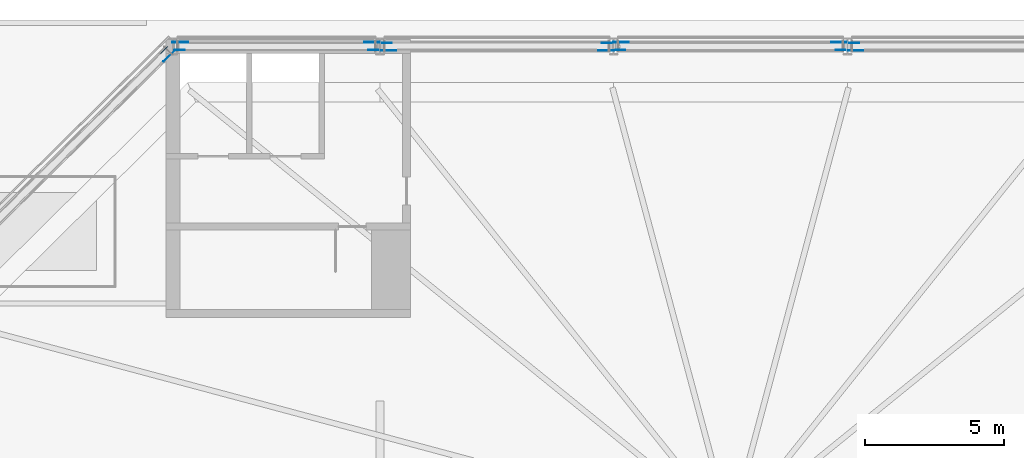
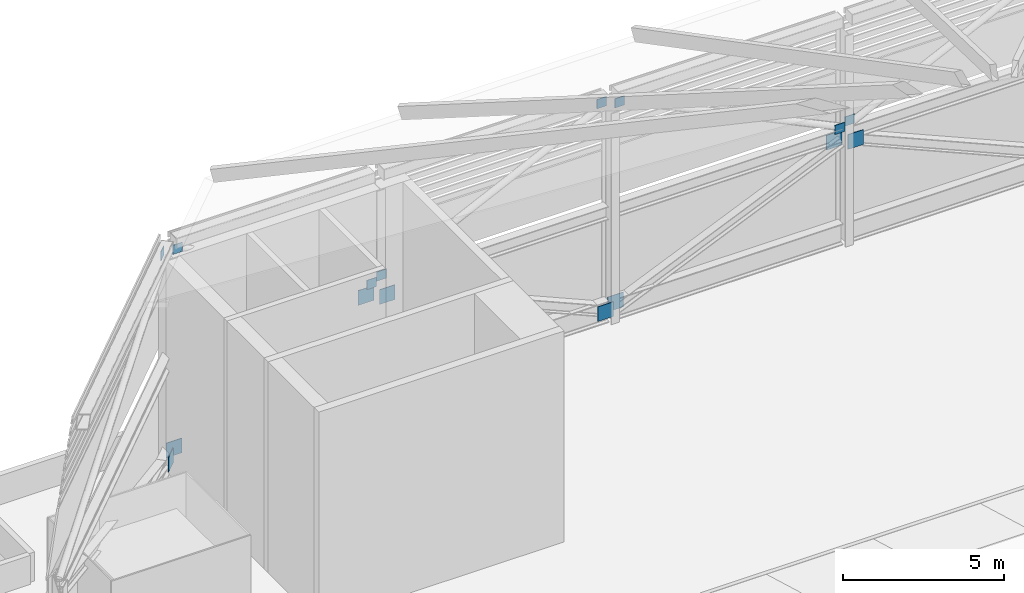
# One storey, part 19 of 22: 16 discrete accessories.
"""IFC4 building model written with IfcOpenShell, lengths in metres."""

from ifc_helpers import new_model, si_unit, direction, frame, origin, origin_2d, place, context, subcontext, project, spatial, rectangle, extrude, element, save


model = new_model("IFC4")

# Units and contexts
model_context = context("Model", 3, precision=1e-05, world=origin(), true_north=direction((0.0, 1.0)))
body_context = subcontext(model_context, "Body", "Model", "MODEL_VIEW")
ifc_project = project(units=[si_unit("LENGTHUNIT", "METRE"), si_unit("AREAUNIT", "SQUARE_METRE"), si_unit("VOLUMEUNIT", "CUBIC_METRE"), si_unit("PLANEANGLEUNIT", "RADIAN"), si_unit("MASSUNIT", "GRAM", prefix="KILO")], contexts=[model_context])

# Site, building, storey
site_placement = place(None, origin())
site = spatial("IfcSite", under=ifc_project, at=site_placement, CompositionType="ELEMENT")
building_placement = place(site_placement, origin())
building = spatial("IfcBuilding", under=site, at=building_placement, Name="Saffron Gate Tower", CompositionType="ELEMENT")
storey_placement = place(building_placement, frame((0.0, 0.0, 314.85009765625)))
storey = spatial("IfcBuildingStorey", under=building, at=storey_placement, Name="Roof crown", CompositionType="ELEMENT", Elevation=314.85009765625)

# Discrete accessories
discrete_accessory_1_placement = place(storey_placement, frame((92.098388671875, 74.5, 3.564208984375), z_axis=(0.0, 0.0, 1.0), x_axis=(-1.0, 0.0, 0.0)))
element("IfcDiscreteAccessory", 1, at=discrete_accessory_1_placement, inside=storey, Name="GUSSET PLATE", ObjectType="GUSSET PLATE", PredefinedType="USERDEFINED", context=body_context, shape_type="SweptSolid", body=[
    extrude(rectangle(XDim=0.56005859375, YDim=0.02001953125, at=origin_2d()), origin(), (0.0, 0.0, 1.0), 0.56005859375),
])
discrete_accessory_2_placement = place(storey_placement, frame((92.049072265625, 74.772216796875, 4.262451171875), z_axis=(0.0, 0.0, 1.0), x_axis=(1.0, 0.0, 0.0)))
element("IfcDiscreteAccessory", 2, at=discrete_accessory_2_placement, inside=storey, Name="GUSSET PLATE", ObjectType="GUSSET PLATE", PredefinedType="USERDEFINED", context=body_context, shape_type="SweptSolid", body=[
    extrude(rectangle(XDim=0.35009765625, YDim=0.02001953125, at=origin_2d()), origin(), (0.0, 0.0, 1.0), 0.35009765625),
])
for number, where, z_axis, x_axis, name in (
    (3, (83.66845703125, 74.800048828125, 0.175537109375), (0.0, 0.0, 1.0), (1.0, 0.0, 0.0), "GUSSET PLATE"),
    (4, (91.50146484375, 74.800048828125, 3.564208984375), (0.0, 0.0, 1.0), (1.0, 0.0, 0.0), "GUSSET PLATE"),
):
    element("IfcDiscreteAccessory", number, at=place(storey_placement, frame(where, z_axis=z_axis, x_axis=x_axis)), inside=storey, Name=name, ObjectType="GUSSET PLATE", PredefinedType="USERDEFINED", context=body_context, shape_type="SweptSolid", body=[
        extrude(rectangle(XDim=0.56005859375, YDim=0.02001953125, at=origin_2d()), origin(), (0.0, 0.0, 1.0), 0.56005859375),
    ])
for number, where, z_axis, x_axis, name in (
    (5, (91.551025390625, 74.52783203125, 4.262451171875), (0.0, 0.0, 1.0), (-1.0, 0.0, 0.0), "GUSSET PLATE"),
    (6, (83.64892578125, 74.52783203125, 8.037109375), (0.0, 0.0, 1.0), (-1.0, 0.0, 0.0), "GUSSET PLATE"),
):
    element("IfcDiscreteAccessory", number, at=place(storey_placement, frame(where, z_axis=z_axis, x_axis=x_axis)), inside=storey, Name=name, ObjectType="GUSSET PLATE", PredefinedType="USERDEFINED", context=body_context, shape_type="SweptSolid", body=[
        extrude(rectangle(XDim=0.35009765625, YDim=0.02001953125, at=origin_2d()), origin(), (0.0, 0.0, 1.0), 0.35009765625),
    ])
for number, where, z_axis, x_axis, name in (
    (7, (83.131591796875, 74.5, 0.175537109375), (0.0, 0.0, 1.0), (-1.0, 0.0, 0.0), "GUSSET PLATE"),
    (8, (75.298583984375, 74.5, 3.564208984375), (0.0, 0.0, 1.0), (-1.0, 0.0, 0.0), "GUSSET PLATE"),
):
    element("IfcDiscreteAccessory", number, at=place(storey_placement, frame(where, z_axis=z_axis, x_axis=x_axis)), inside=storey, Name=name, ObjectType="GUSSET PLATE", PredefinedType="USERDEFINED", context=body_context, shape_type="SweptSolid", body=[
        extrude(rectangle(XDim=0.56005859375, YDim=0.02001953125, at=origin_2d()), origin(), (0.0, 0.0, 1.0), 0.56005859375),
    ])
for number, where, z_axis, x_axis, name in (
    (9, (75.2490234375, 74.772216796875, 4.262451171875), (0.0, 0.0, 1.0), (1.0, 0.0, 0.0), "GUSSET PLATE"),
    (10, (83.15087890625, 74.772216796875, 8.037109375), (0.0, 0.0, 1.0), (1.0, 0.0, 0.0), "GUSSET PLATE"),
):
    element("IfcDiscreteAccessory", number, at=place(storey_placement, frame(where, z_axis=z_axis, x_axis=x_axis)), inside=storey, Name=name, ObjectType="GUSSET PLATE", PredefinedType="USERDEFINED", context=body_context, shape_type="SweptSolid", body=[
        extrude(rectangle(XDim=0.35009765625, YDim=0.02001953125, at=origin_2d()), origin(), (0.0, 0.0, 1.0), 0.35009765625),
    ])
for number, where, z_axis, x_axis, name in (
    (11, (67.815673828125, 74.800048828125, 0.181396484375), (0.0, 0.0, 1.0), (1.0, 0.0, 0.0), "GUSSET PLATE"),
    (12, (74.704345703125, 74.800048828125, 3.558349609375), (0.0, 0.0, 1.0), (1.0, 0.0, 0.0), "GUSSET PLATE"),
):
    element("IfcDiscreteAccessory", number, at=place(storey_placement, frame(where, z_axis=z_axis, x_axis=x_axis)), inside=storey, Name=name, ObjectType="GUSSET PLATE", PredefinedType="USERDEFINED", context=body_context, shape_type="SweptSolid", body=[
        extrude(rectangle(XDim=0.56005859375, YDim=0.02001953125, at=origin_2d()), origin(), (0.0, 0.0, 1.0), 0.56005859375),
    ])
for number, where, z_axis, x_axis, name in (
    (13, (74.753173828125, 74.52783203125, 4.2666015625), (0.0, 0.0, 1.0), (-1.0, 0.0, 0.0), "GUSSET PLATE"),
    (14, (67.796875, 74.52783203125, 8.033203125), (0.0, 0.0, 1.0), (-1.0, 0.0, 0.0), "GUSSET PLATE"),
):
    element("IfcDiscreteAccessory", number, at=place(storey_placement, frame(where, z_axis=z_axis, x_axis=x_axis)), inside=storey, Name=name, ObjectType="GUSSET PLATE", PredefinedType="USERDEFINED", context=body_context, shape_type="SweptSolid", body=[
        extrude(rectangle(XDim=0.35009765625, YDim=0.02001953125, at=origin_2d()), origin(), (0.0, 0.0, 1.0), 0.35009765625),
    ])
discrete_accessory_3_placement = place(storey_placement, frame((67.41650390625, 74.306884765625, 0.156982421875), z_axis=(0.0, 0.0, 1.0), x_axis=(-0.710901361809, -0.703291727364, 0.0)))
element("IfcDiscreteAccessory", 15, at=discrete_accessory_3_placement, inside=storey, Name="GUSSET PLATE", ObjectType="GUSSET PLATE", PredefinedType="USERDEFINED", context=body_context, shape_type="SweptSolid", body=[
    extrude(rectangle(XDim=0.56005859375, YDim=0.02001953125, at=origin_2d()), origin(), (0.0, 0.0, 1.0), 0.56005859375),
])
discrete_accessory_4_placement = place(storey_placement, frame((67.240234375, 74.515380859375, 8.049560546875), z_axis=(0.0, 0.0, 1.0), x_axis=(0.710902589283, 0.703290486606, 0.0)))
element("IfcDiscreteAccessory", 16, at=discrete_accessory_4_placement, inside=storey, Name="GUSSET PLATE", ObjectType="GUSSET PLATE", PredefinedType="USERDEFINED", context=body_context, shape_type="SweptSolid", body=[
    extrude(rectangle(XDim=0.35009765625, YDim=0.02001953125, at=origin_2d()), origin(), (0.0, 0.0, 1.0), 0.35009765625),
])

save(model, "model.ifc")
